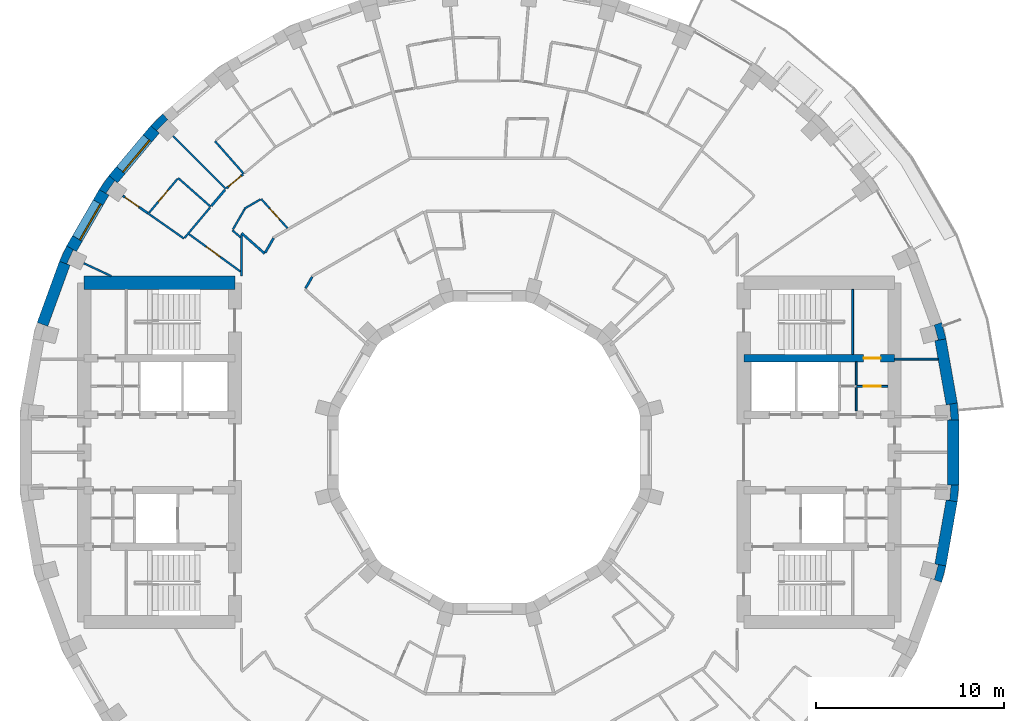
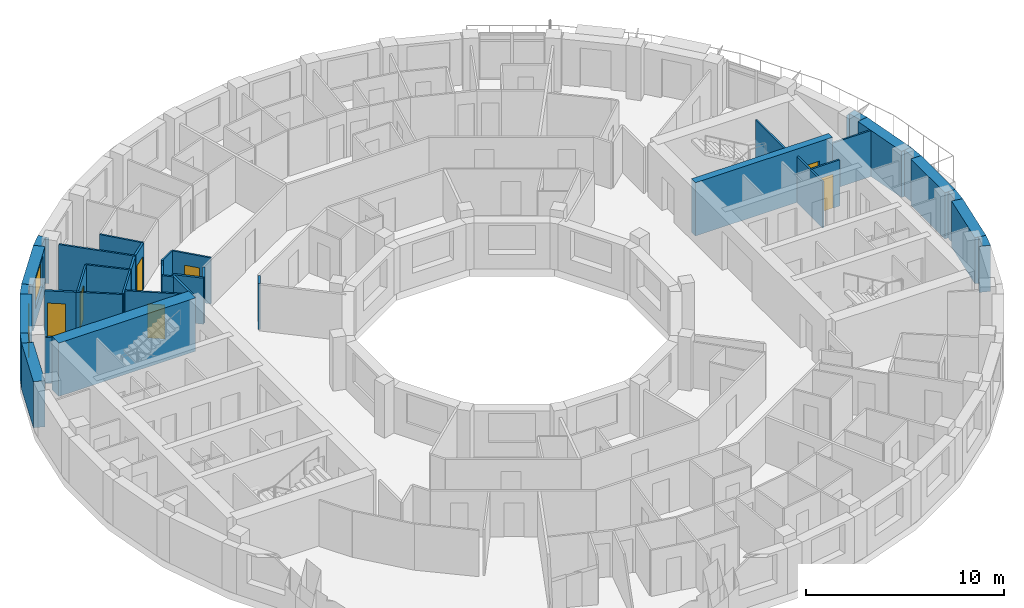
# One storey, part 10 of 15: 38 walls, 7 doors, 2 windows, 9 openings.
"""IFC4 building model written with IfcOpenShell, lengths in metres."""

import ifcopenshell
import ifcopenshell.guid

model = None  # the IFC model being written
_history = None  # IfcOwnerHistory: only IFC2X3 demands one
_inside = {}  # id of a spatial element -> (the spatial element, [elements in it])
_under = {}  # id of a project, library or spatial element -> (it, [spatial elements below it])
_declared = {}  # id of a project -> (the project, [libraries it declares])
_typed = {}  # id of a type object -> (the type object, [elements of that type])
_made_of = {}  # id of a material, layer set ... -> (it, [elements and type objects made of it])


def new_model(schema):
    """Start an empty IFC model of exactly this schema.

    Asked for "IFC4X3", IfcOpenShell would pick the latest addendum, in which some entities
    have other attributes; the version numbers below select the first issue.
    IFC2X3 requires an IfcOwnerHistory on every rooted entity: one is made here for all.
    """
    global model, _history
    if schema == "IFC4X3":
        model = ifcopenshell.file(schema_version=(4, 3, 0, 0))
    else:
        model = ifcopenshell.file(schema=schema)
    _inside.clear()
    _under.clear()
    _declared.clear()
    _typed.clear()
    _made_of.clear()
    _history = None
    if model.schema == "IFC2X3":
        org = make("IfcOrganization", Name="unknown")
        user = make(
            "IfcPersonAndOrganization",
            ThePerson=make("IfcPerson", FamilyName="unknown"),
            TheOrganization=org,
        )
        app = make(
            "IfcApplication",
            ApplicationDeveloper=org,
            Version="unknown",
            ApplicationFullName="unknown",
            ApplicationIdentifier="unknown",
        )
        _history = make(
            "IfcOwnerHistory",
            OwningUser=user,
            OwningApplication=app,
            ChangeAction="ADDED",
            CreationDate=0,
        )
    return model


def make(cls, **values):
    """One entity of the class cls with the attributes given. An attribute that is None is left unset."""
    return model.create_entity(
        cls, **{name: value for name, value in values.items() if value is not None}
    )


def rooted(cls, **values):
    """An entity with a GlobalId (a new one), such as an element, a storey or a relation."""
    return make(cls, GlobalId=ifcopenshell.guid.new(), OwnerHistory=_history, **values)


def si_unit(unit_type, name, prefix=None):
    """IfcSIUnit, for example si_unit("LENGTHUNIT", "METRE", prefix="MILLI")."""
    return make("IfcSIUnit", UnitType=unit_type, Prefix=prefix, Name=name)


def assignment(units):
    """IfcUnitAssignment: the units of a project."""
    return None if units is None else make("IfcUnitAssignment", Units=units)


def point(xyz):
    """IfcCartesianPoint."""
    return None if xyz is None else make("IfcCartesianPoint", Coordinates=xyz)


def direction(xyz):
    """IfcDirection."""
    return None if xyz is None else make("IfcDirection", DirectionRatios=xyz)


def frame(location, z_axis=None, x_axis=None):
    """IfcAxis2Placement3D, a coordinate frame: its origin and axes. An axis left out is left unset."""
    return make(
        "IfcAxis2Placement3D",
        Location=point(location),
        Axis=direction(z_axis),
        RefDirection=direction(x_axis),
    )


def frame_2d(location, x_axis=None):
    """IfcAxis2Placement2D, a coordinate frame in the plane: its origin and x axis."""
    return make(
        "IfcAxis2Placement2D", Location=point(location), RefDirection=direction(x_axis)
    )


def origin():
    """The frame at (0, 0, 0) with its axes left unset."""
    return frame((0.0, 0.0, 0.0))


def place(relative_to, where):
    """IfcLocalPlacement: puts the frame where relative to a parent placement (None: the world)."""
    return make(
        "IfcLocalPlacement", PlacementRelTo=relative_to, RelativePlacement=where
    )


def context(
    kind, dimensions, precision=None, world=None, true_north=None, identifier=None
):
    """IfcGeometricRepresentationContext, for example the 3D "Model" context."""
    return make(
        "IfcGeometricRepresentationContext",
        ContextIdentifier=identifier,
        ContextType=kind,
        CoordinateSpaceDimension=dimensions,
        Precision=precision,
        WorldCoordinateSystem=world,
        TrueNorth=true_north,
    )


def subcontext(parent, identifier, kind, view, scale=None):
    """IfcGeometricRepresentationSubContext, for example "Body" below "Model"."""
    return make(
        "IfcGeometricRepresentationSubContext",
        ContextIdentifier=identifier,
        ContextType=kind,
        ParentContext=parent,
        TargetScale=scale,
        TargetView=view,
    )


def project(units=None, contexts=None):
    """IfcProject with its units and contexts."""
    return rooted(
        "IfcProject",
        Name="project",
        RepresentationContexts=contexts,
        UnitsInContext=assignment(units),
    )


def spatial(cls, under=None, at=None, **own):
    """A site, building, storey or space (cls), placed at a placement, below another one or the project."""
    s = rooted(cls, ObjectPlacement=at, **own)
    if under is not None:
        _under.setdefault(under.id(), (under, []))[1].append(s)
    return s


def polyline(points):
    """IfcPolyline through the points."""
    return make("IfcPolyline", Points=[point(p) for p in points])


def profile(cls, at=None, kind="AREA", **sizes):
    """A parametric profile (cls). Its sizes go by their IFC names, for example OverallWidth=200.0."""
    return make(cls, ProfileType=kind, Position=at, **sizes)


def rectangle(**sizes):
    """IfcRectangleProfileDef."""
    return profile("IfcRectangleProfileDef", **sizes)


def outline(outer, holes=None, kind="AREA"):
    """IfcArbitraryClosedProfileDef: a profile drawn as a closed curve; with holes, ...WithVoids."""
    if holes is None:
        return make("IfcArbitraryClosedProfileDef", ProfileType=kind, OuterCurve=outer)
    return make(
        "IfcArbitraryProfileDefWithVoids",
        ProfileType=kind,
        OuterCurve=outer,
        InnerCurves=holes,
    )


def extrude(swept, where, along, depth):
    """IfcExtrudedAreaSolid: the profile swept, set in the frame where, extruded along a direction by depth."""
    return make(
        "IfcExtrudedAreaSolid",
        SweptArea=swept,
        Position=where,
        ExtrudedDirection=direction(along),
        Depth=depth,
    )


def shape(context_of_items, identifier, shape_type, items):
    """IfcShapeRepresentation: the items that make up one representation, for example the "Body"."""
    return make(
        "IfcShapeRepresentation",
        ContextOfItems=context_of_items,
        RepresentationIdentifier=identifier,
        RepresentationType=shape_type,
        Items=items,
    )


def material(Name=None, Category=None):
    """IfcMaterial."""
    return make("IfcMaterial", Name=Name, Category=Category)


def layer(
    of_material, thickness, ventilated=None, Name=None, Category=None, Priority=None
):
    """IfcMaterialLayer: one layer of a wall or slab, of a material (None: an air gap)."""
    return make(
        "IfcMaterialLayer",
        Material=of_material,
        LayerThickness=thickness,
        IsVentilated=ventilated,
        Name=Name,
        Category=Category,
        Priority=Priority,
    )


def layer_set(layers, Name=None):
    """IfcMaterialLayerSet."""
    return make("IfcMaterialLayerSet", MaterialLayers=layers, LayerSetName=Name)


def made_of(thing, what):
    """Note that an element or type object is made of a material, layer set ...; save() writes the relation."""
    if what is not None:
        _made_of.setdefault(what.id(), (what, []))[1].append(thing)
    return thing


def type_object(cls, material=None, **own):
    """A type object (cls), such as IfcWallType, which elements share."""
    return made_of(rooted(cls, **own), material)


def element(
    cls,
    number,
    at=None,
    inside=None,
    cuts=None,
    type_object=None,
    material=None,
    context=None,
    identifier="Body",
    shape_type=None,
    held_by="IfcProductDefinitionShape",
    body=None,
    shapes=None,
    **own,
):
    """One element of the class cls, such as IfcWall. Its Tag is "e" and its number.

    at: its placement. inside: the storey or other place that contains it. cuts: it is an
    opening in that element (IfcRelVoidsElement). A single representation is given by context,
    identifier, shape_type and body (its items); several are given by shapes. held_by: the class
    of the entity that holds the representations. save() writes the other relations.
    """
    e = rooted(cls, Tag="e%d" % number, ObjectPlacement=at, **own)
    if body is not None:
        shapes = [shape(context, identifier, shape_type, body)]
    if shapes is not None:
        e.Representation = make(held_by, Representations=shapes)
    if inside is not None:
        _inside.setdefault(inside.id(), (inside, []))[1].append(e)
    if cuts is not None:
        rooted(
            "IfcRelVoidsElement", RelatingBuildingElement=cuts, RelatedOpeningElement=e
        )
    if type_object is not None:
        _typed.setdefault(type_object.id(), (type_object, []))[1].append(e)
    return made_of(e, material)


def fill(opening, filler):
    """IfcRelFillsElement: the door or window that sits in an opening."""
    return rooted(
        "IfcRelFillsElement",
        RelatingOpeningElement=opening,
        RelatedBuildingElement=filler,
    )


def aggregate(whole, parts):
    """IfcRelAggregates: a whole, such as a stair, and the parts it consists of."""
    return rooted("IfcRelAggregates", RelatingObject=whole, RelatedObjects=parts)


def save(model, path):
    """Write the relations noted so far, then the file.

    IfcRelAggregates (storeys below a building ...), IfcRelContainedInSpatialStructure (elements
    in a storey), IfcRelDefinesByType, IfcRelAssociatesMaterial and IfcRelDeclares: one each for
    every whole, place, type object, material and project.
    """
    for whole, parts in _under.values():
        aggregate(whole, parts)
    for where, things in _inside.values():
        rooted(
            "IfcRelContainedInSpatialStructure",
            RelatedElements=things,
            RelatingStructure=where,
        )
    for kind, things in _typed.values():
        rooted("IfcRelDefinesByType", RelatedObjects=things, RelatingType=kind)
    for what, things in _made_of.values():
        rooted("IfcRelAssociatesMaterial", RelatedObjects=things, RelatingMaterial=what)
    for by, libraries in _declared.values():
        rooted("IfcRelDeclares", RelatingContext=by, RelatedDefinitions=libraries)
    model.write(path)


model = new_model("IFC4")

# Units and contexts
model_context = context("Model", 3, precision=1e-05, world=origin(), true_north=direction((0.0, 1.0)))
body_context = subcontext(model_context, "Body", "Model", "MODEL_VIEW")
ifc_project = project(units=[si_unit("LENGTHUNIT", "METRE"), si_unit("AREAUNIT", "SQUARE_METRE"), si_unit("VOLUMEUNIT", "CUBIC_METRE"), si_unit("PLANEANGLEUNIT", "RADIAN"), si_unit("MASSUNIT", "GRAM", prefix="KILO")], contexts=[model_context])

# Site, building, storey
site_placement = place(None, origin())
site = spatial("IfcSite", under=ifc_project, at=site_placement, CompositionType="ELEMENT")
building_placement = place(site_placement, origin())
building = spatial("IfcBuilding", under=site, at=building_placement, Name="Saqina Gate Tower", CompositionType="ELEMENT")
storey_placement = place(building_placement, frame((0.0, 0.0, 193.800048828125)))
storey = spatial("IfcBuildingStorey", under=building, at=storey_placement, Name="L55", CompositionType="ELEMENT", Elevation=193.800048828125)

# Walls
ifc_material_1 = material(Name="Brick masonry (buff)", Category="masonry")
wall_type_1 = type_object("IfcWallType", Name="BRICK PIER COPING BUFF", PredefinedType="SOLIDWALL", material=ifc_material_1)
wall_1_placement = place(storey_placement, origin())
element("IfcWall", 1, at=wall_1_placement, inside=storey, type_object=wall_type_1, Name="Pier cap L55 column 1", PredefinedType="SOLIDWALL", context=body_context, shape_type="SweptSolid", body=[
    extrude(outline(polyline([(24.90478515625, 1.724853515625), (24.825927734375, 2.6259765625), (24.235107421875, 2.521728515625), (24.421630859375, 2.5380859375), (24.491455078125, 1.7412109375), (24.304931640625, 1.724853515625), (24.90478515625, 1.724853515625)])), origin(), (0.0, 0.0, 1.0), 2.849853515625),
])
wall_2_placement = place(storey_placement, origin())
element("IfcWall", 2, at=wall_2_placement, inside=storey, type_object=wall_type_1, Name="Pier cap L55 column 2", PredefinedType="SOLIDWALL", context=body_context, shape_type="SweptSolid", body=[
    extrude(outline(polyline([(24.22705078125, 6.0234375), (23.992919921875, 6.897216796875), (23.428955078125, 6.69189453125), (23.610107421875, 6.740478515625), (23.81689453125, 5.967529296875), (23.635986328125, 5.919189453125), (24.22705078125, 6.0234375)])), origin(), (0.0, 0.0, 1.0), 2.849853515625),
])
wall_3_placement = place(storey_placement, origin())
element("IfcWall", 3, at=wall_3_placement, inside=storey, type_object=wall_type_1, Name="Pier cap L55 column 14", PredefinedType="SOLIDWALL", context=body_context, shape_type="SweptSolid", body=[
    extrude(outline(polyline([(-17.969482421875, 17.329833984375), (-17.510009765625, 16.944091796875), (-17.642333984375, 17.07666015625), (-17.07666015625, 17.642333984375), (-16.944091796875, 17.510009765625), (-17.329833984375, 17.969482421875), (-17.969482421875, 17.329833984375)])), origin(), (0.0, 0.0, 1.0), 2.849853515625),
])
wall_4_placement = place(storey_placement, origin())
element("IfcWall", 4, at=wall_4_placement, inside=storey, type_object=wall_type_1, Name="Pier cap L55 column 15", PredefinedType="SOLIDWALL", context=body_context, shape_type="SweptSolid", body=[
    extrude(outline(polyline([(-20.18701171875, 14.687255859375), (-20.705810546875, 13.9462890625), (-20.186279296875, 13.646240234375), (-20.339599609375, 13.753662109375), (-19.880859375, 14.408935546875), (-19.727294921875, 14.301513671875), (-20.18701171875, 14.687255859375)])), origin(), (0.0, 0.0, 1.0), 2.849853515625),
])
wall_5_placement = place(storey_placement, origin())
element("IfcWall", 5, at=wall_5_placement, inside=storey, type_object=wall_type_1, Name="Pier cap L55 column 16", PredefinedType="SOLIDWALL", context=body_context, shape_type="SweptSolid", body=[
    extrude(outline(polyline([(-22.81298828125, 10.138916015625), (-22.249267578125, 9.93359375), (-22.4189453125, 10.0126953125), (-22.080810546875, 10.73779296875), (-21.9111328125, 10.65869140625), (-22.4306640625, 10.958740234375), (-22.81298828125, 10.138916015625)])), origin(), (0.0, 0.0, 1.0), 2.849853515625),
])
wall_6_placement = place(storey_placement, origin())
element("IfcWall", 6, at=wall_6_placement, inside=storey, type_object=wall_type_1, Name="Pier cap L55 column 35", PredefinedType="SOLIDWALL", context=body_context, shape_type="SweptSolid", body=[
    extrude(outline(polyline([(24.22705078125, -6.0234375), (23.635986328125, -5.919189453125), (23.81689453125, -5.967529296875), (23.610107421875, -6.740478515625), (23.428955078125, -6.69189453125), (23.992919921875, -6.897216796875), (24.22705078125, -6.0234375)])), origin(), (0.0, 0.0, 1.0), 2.849853515625),
])
wall_7_placement = place(storey_placement, origin())
element("IfcWall", 7, at=wall_7_placement, inside=storey, type_object=wall_type_1, Name="Pier cap L55 column 36", PredefinedType="SOLIDWALL", context=body_context, shape_type="SweptSolid", body=[
    extrude(outline(polyline([(24.825927734375, -2.6259765625), (24.90478515625, -1.724853515625), (24.304931640625, -1.724853515625), (24.491455078125, -1.7412109375), (24.421630859375, -2.5380859375), (24.235107421875, -2.521728515625), (24.825927734375, -2.6259765625)])), origin(), (0.0, 0.0, 1.0), 2.849853515625),
])
ifc_material_2 = material(Name="Gypsum board on steel studs", Category="steel")
ifc_layer_1 = layer(ifc_material_2, 0.10009765625)
ifc_layer_set_1 = layer_set([ifc_layer_1], Name="CORE PARTITION")
wall_type_2 = type_object("IfcWallType", Name="CORE PARTITION", PredefinedType="PARTITIONING", material=ifc_layer_set_1)
wall_8_placement = place(storey_placement, frame((21.5, 4.949951171875, 0.0), z_axis=(0.0, 0.0, 1.0), x_axis=(1.0, 0.0, 0.0)))
element("IfcWall", 8, at=wall_8_placement, inside=storey, type_object=wall_type_2, Name="L55-CP-E01", PredefinedType="PARTITIONING", context=body_context, shape_type="SweptSolid", body=[
    extrude(rectangle(XDim=2.306884765625, YDim=0.10009765625, at=frame_2d((1.1533203125, 0.0))), origin(), (0.0, 0.0, 1.0), 2.849853515625),
])
wall_9_placement = place(storey_placement, frame((19.466552734375, 2.199951171875, 0.0), z_axis=(0.0, 0.0, 1.0), x_axis=(0.0, 1.0, 0.0)))
element("IfcWall", 9, at=wall_9_placement, inside=storey, type_object=wall_type_2, Name="L55-CP-E08", PredefinedType="PARTITIONING", context=body_context, shape_type="SweptSolid", body=[
    extrude(rectangle(XDim=2.60009765625, YDim=0.10009765625, at=frame_2d((1.300048828125, 0.0))), origin(), (0.0, 0.0, 1.0), 2.849853515625),
])

# Wall, opening, door
wall_10_placement = place(storey_placement, frame((19.466552734375, 3.5, 0.0), z_axis=(0.0, 0.0, 1.0), x_axis=(1.0, 0.0, 0.0)))
wall_10 = element("IfcWall", 10, at=wall_10_placement, inside=storey, type_object=wall_type_2, Name="L55-CP-E13", PredefinedType="PARTITIONING", context=body_context, shape_type="SweptSolid", body=[
    extrude(rectangle(XDim=1.683349609375, YDim=0.10009765625, at=frame_2d((0.841796875, 0.0))), origin(), (0.0, 0.0, 1.0), 2.849853515625),
])
opening_1_placement = place(wall_10_placement, frame((0.391845703125, 0.0, 0.0)))
opening_1 = element("IfcOpeningElement", 11, at=opening_1_placement, cuts=wall_10, Name="Opening G16-D100", PredefinedType="OPENING", context=body_context, shape_type="SweptSolid", body=[
    extrude(rectangle(XDim=0.89990234375, YDim=2.10009765625, at=frame_2d((0.449951171875, 1.050048828125))), frame((0.0, 0.06201171875, 0.0), z_axis=(0.0, -1.0, 0.0), x_axis=(1.0, 0.0, 0.0)), (0.0, 0.0, 1.0), 0.1240234375),
])
ifc_material_3 = material(Name="Steel-framed fire door leaf, EI 60", Category="steel")
door_type_1 = type_object("IfcDoorType", Name="SERVICE ROOM DOOR 900", OperationType="SINGLE_SWING_LEFT", PredefinedType="DOOR", material=ifc_material_3)
door_1_placement = place(opening_1_placement, origin())
door_1 = element("IfcDoor", 12, at=door_1_placement, inside=storey, type_object=door_type_1, Name="L55-CD-E11", OperationType="SINGLE_SWING_RIGHT", OverallHeight=2.10009765625, OverallWidth=0.89990234375, PredefinedType="DOOR", context=body_context, shape_type="SweptSolid", body=[
    extrude(rectangle(XDim=0.89990234375, YDim=2.10009765625, at=frame_2d((0.449951171875, 1.050048828125))), frame((0.0, 0.02490234375, 0.0), z_axis=(0.0, -1.0, 0.0), x_axis=(1.0, 0.0, 0.0)), (0.0, 0.0, 1.0), 0.050048828125),
])
fill(opening_1, door_1)

# Wall, opening, window
ifc_material_4 = material(Name="Brick masonry (buff)", Category="masonry")
ifc_layer_2 = layer(ifc_material_4, 0.60009765625)
ifc_layer_set_2 = layer_set([ifc_layer_2], Name="FW-BRICK-BUFF")
wall_type_3 = type_object("IfcWallType", Name="FW-BRICK-BUFF", PredefinedType="SOLIDWALL", material=ifc_layer_set_2)
wall_11_placement = place(storey_placement, frame((-17.73974609375, 17.136962890625, 0.0), z_axis=(0.0, 0.0, 1.0), x_axis=(-0.642770398358, -0.766058884809, 0.0)))
wall_11 = element("IfcWall", 13, at=wall_11_placement, inside=storey, type_object=wall_type_3, Name="Facade wall L55 facet 14", PredefinedType="SOLIDWALL", context=body_context, shape_type="SweptSolid", body=[
    extrude(rectangle(XDim=3.449462890625, YDim=0.60009765625, at=frame_2d((1.724609375, 0.0))), origin(), (0.0, 0.0, 1.0), 2.849853515625),
])
opening_2_placement = place(wall_11_placement, frame((0.625, 0.0, 0.89990234375)))
opening_2 = element("IfcOpeningElement", 14, at=opening_2_placement, cuts=wall_11, Name="Opening G16-W08", PredefinedType="OPENING", context=body_context, shape_type="SweptSolid", body=[
    extrude(rectangle(XDim=2.199951171875, YDim=1.800048828125, at=frame_2d((1.10009765625, 0.89990234375))), frame((0.0, 0.31201171875, 0.0), z_axis=(0.0, -1.0, 0.0), x_axis=(1.0, 0.0, 0.0)), (0.0, 0.0, 1.0), 0.6240234375),
])
ifc_material_5 = material(Name="Aluminium glazing", Category="aluminium")
window_type = type_object("IfcWindowType", Name="WN-C", PartitioningType="SINGLE_PANEL", PredefinedType="WINDOW", material=ifc_material_5)
window_1_placement = place(opening_2_placement, origin())
window_1 = element("IfcWindow", 15, at=window_1_placement, inside=storey, type_object=window_type, Name="Window L55 facet 14", OverallHeight=1.800048828125, OverallWidth=2.199951171875, PartitioningType="SINGLE_PANEL", PredefinedType="WINDOW", context=body_context, shape_type="SweptSolid", body=[
    extrude(rectangle(XDim=2.199951171875, YDim=1.800048828125, at=frame_2d((1.10009765625, 0.89990234375))), frame((0.0, 0.179931640625, 0.0), z_axis=(0.0, -1.0, 0.0), x_axis=(1.0, 0.0, 0.0)), (0.0, 0.0, 1.0), 0.06005859375),
])
fill(opening_2, window_1)

wall_12_placement = place(storey_placement, frame((-20.446044921875, 13.796142578125, 0.0), z_axis=(0.0, 0.0, 1.0), x_axis=(-0.499998129301, -0.86602648383, 0.0)))
wall_12 = element("IfcWall", 16, at=wall_12_placement, inside=storey, type_object=wall_type_3, Name="Facade wall L55 facet 15", PredefinedType="SOLIDWALL", context=body_context, shape_type="SweptSolid", body=[
    extrude(rectangle(XDim=3.44970703125, YDim=0.60009765625, at=frame_2d((1.724853515625, 0.0))), origin(), (0.0, 0.0, 1.0), 2.849853515625),
])
opening_3_placement = place(wall_12_placement, frame((0.625, 0.0, 0.89990234375)))
opening_3 = element("IfcOpeningElement", 17, at=opening_3_placement, cuts=wall_12, Name="Opening G16-W09", PredefinedType="OPENING", context=body_context, shape_type="SweptSolid", body=[
    extrude(rectangle(XDim=2.199951171875, YDim=1.800048828125, at=frame_2d((1.10009765625, 0.89990234375))), frame((0.0, 0.31201171875, 0.0), z_axis=(0.0, -1.0, 0.0), x_axis=(1.0, 0.0, 0.0)), (0.0, 0.0, 1.0), 0.6240234375),
])
window_2_placement = place(opening_3_placement, origin())
window_2 = element("IfcWindow", 18, at=window_2_placement, inside=storey, type_object=window_type, Name="Window L55 facet 15", OverallHeight=1.800048828125, OverallWidth=2.199951171875, PartitioningType="SINGLE_PANEL", PredefinedType="WINDOW", context=body_context, shape_type="SweptSolid", body=[
    extrude(rectangle(XDim=2.199951171875, YDim=1.800048828125, at=frame_2d((1.10009765625, 0.89990234375))), frame((0.0, 0.179931640625, 0.0), z_axis=(0.0, -1.0, 0.0), x_axis=(1.0, 0.0, 0.0)), (0.0, 0.0, 1.0), 0.06005859375),
])
fill(opening_3, window_2)

# Walls
ifc_material_6 = material(Name="Glazed ceramic tile", Category="ceramic")
ifc_layer_3 = layer(ifc_material_6, 0.60009765625)
ifc_layer_set_3 = layer_set([ifc_layer_3], Name="FW-TILE")
wall_type_4 = type_object("IfcWallType", Name="FW-TILE", PredefinedType="SOLIDWALL", material=ifc_layer_set_3)
for number, where, z_axis, x_axis, name in (
    (19, (-22.531005859375, 10.0361328125, 0.0), (0.0, 0.0, 1.0), (-0.342032843455, -0.93968799822, 0.0), "Facade wall L55 facet 16"),
    (20, (24.60498046875, -1.724853515625, 0.0), (0.0, 0.0, 1.0), (0.0, 1.0, 0.0), "Facade wall L55 facet 36"),
):
    element("IfcWall", number, at=place(storey_placement, frame(where, z_axis=z_axis, x_axis=x_axis)), inside=storey, type_object=wall_type_4, Name=name, PredefinedType="SOLIDWALL", context=body_context, shape_type="SweptSolid", body=[
        extrude(rectangle(XDim=3.44970703125, YDim=0.60009765625, at=frame_2d((1.724853515625, 0.0))), origin(), (0.0, 0.0, 1.0), 2.849853515625),
    ])
ifc_material_7 = material(Name="Glazed ceramic tile (dark blue)", Category="ceramic")
ifc_layer_4 = layer(ifc_material_7, 0.60009765625)
ifc_layer_set_4 = layer_set([ifc_layer_4], Name="FW-TILE-CB")
wall_type_5 = type_object("IfcWallType", Name="FW-TILE-CB", PredefinedType="SOLIDWALL", material=ifc_layer_set_4)
wall_13_placement = place(storey_placement, frame((23.931640625, -5.97119140625, 0.0), z_axis=(0.0, 0.0, 1.0), x_axis=(0.173607684551, 0.984814892183, 0.0)))
element("IfcWall", 21, at=wall_13_placement, inside=storey, type_object=wall_type_5, Name="Facade wall L55 facet 35", PredefinedType="SOLIDWALL", context=body_context, shape_type="SweptSolid", body=[
    extrude(rectangle(XDim=3.44970703125, YDim=0.60009765625, at=frame_2d((1.724853515625, 0.0))), origin(), (0.0, 0.0, 1.0), 2.849853515625),
])
ifc_material_8 = material(Name="Glazed ceramic tile (white)", Category="ceramic")
ifc_layer_5 = layer(ifc_material_8, 0.60009765625)
ifc_layer_set_5 = layer_set([ifc_layer_5], Name="FW-TILE-WH")
wall_type_6 = type_object("IfcWallType", Name="FW-TILE-WH", PredefinedType="SOLIDWALL", material=ifc_layer_set_5)
wall_14_placement = place(storey_placement, frame((24.530517578125, 2.573974609375, 0.0), z_axis=(0.0, 0.0, 1.0), x_axis=(-0.173607684551, 0.984814892183, 0.0)))
element("IfcWall", 22, at=wall_14_placement, inside=storey, type_object=wall_type_6, Name="Facade wall L55 facet 1", PredefinedType="SOLIDWALL", context=body_context, shape_type="SweptSolid", body=[
    extrude(rectangle(XDim=3.44970703125, YDim=0.60009765625, at=frame_2d((1.724853515625, 0.0))), origin(), (0.0, 0.0, 1.0), 2.849853515625),
])
ifc_material_9 = material(Name="Gypsum board on steel studs, 100 mm", Category="steel")
ifc_layer_6 = layer(ifc_material_9, 0.10009765625)
ifc_layer_set_6 = layer_set([ifc_layer_6], Name="PARTITION 100")
wall_type_7 = type_object("IfcWallType", Name="PARTITION 100", PredefinedType="PARTITIONING", material=ifc_layer_set_6)
wall_15_placement = place(storey_placement, frame((-14.555908203125, 16.511962890625, 0.0), z_axis=(0.0, 0.0, 1.0), x_axis=(0.661368963491, -0.750060726962, 0.0)))
element("IfcWall", 23, at=wall_15_placement, inside=storey, type_object=wall_type_7, Name="PARTITION PW3-23", PredefinedType="PARTITIONING", context=body_context, shape_type="SweptSolid", body=[
    extrude(rectangle(XDim=2.30126953125, YDim=0.10009765625, at=frame_2d((1.150634765625, 0.0))), origin(), (0.0, 0.0, 1.0), 2.849853515625),
])

# Wall, opening, door
wall_16_placement = place(storey_placement, frame((-12.10791015625, 13.447021484375, 0.0), z_axis=(0.0, 0.0, 1.0), x_axis=(0.669048883613, -0.743218400833, 0.0)))
wall_16 = element("IfcWall", 24, at=wall_16_placement, inside=storey, type_object=wall_type_7, Name="PARTITION PW3-24", PredefinedType="PARTITIONING", context=body_context, shape_type="SweptSolid", body=[
    extrude(rectangle(XDim=2.083740234375, YDim=0.10009765625, at=frame_2d((1.0419921875, 0.0))), origin(), (0.0, 0.0, 1.0), 2.849853515625),
])
opening_4_placement = place(wall_16_placement, frame((0.673095703125, 0.0, 0.0)))
opening_4 = element("IfcOpeningElement", 25, at=opening_4_placement, cuts=wall_16, Name="Opening G16-D29", PredefinedType="OPENING", context=body_context, shape_type="SweptSolid", body=[
    extrude(rectangle(XDim=0.800048828125, YDim=2.10009765625, at=frame_2d((0.39990234375, 1.050048828125))), frame((0.0, 0.06201171875, 0.0), z_axis=(0.0, -1.0, 0.0), x_axis=(1.0, 0.0, 0.0)), (0.0, 0.0, 1.0), 0.1240234375),
])
ifc_material_10 = material(Name="Timber door leaf, 800 mm", Category="wood")
door_type_2 = type_object("IfcDoorType", Name="DOOR 800 TIMBER", OperationType="SINGLE_SWING_LEFT", PredefinedType="DOOR", material=ifc_material_10)
door_2_placement = place(opening_4_placement, origin())
door_2 = element("IfcDoor", 26, at=door_2_placement, inside=storey, type_object=door_type_2, Name="DOOR G16-D29", OperationType="SINGLE_SWING_RIGHT", OverallHeight=2.10009765625, OverallWidth=0.800048828125, PredefinedType="DOOR", context=body_context, shape_type="SweptSolid", body=[
    extrude(rectangle(XDim=0.800048828125, YDim=2.10009765625, at=frame_2d((0.39990234375, 1.050048828125))), frame((0.0, 0.02490234375, 0.0), z_axis=(0.0, -1.0, 0.0), x_axis=(1.0, 0.0, 0.0)), (0.0, 0.0, 1.0), 0.050048828125),
])
fill(opening_4, door_2)

# Walls
wall_17_placement = place(storey_placement, frame((-16.78662109375, 16.78662109375, 0.0), z_axis=(0.0, 0.0, 1.0), x_axis=(0.707106781187, -0.707106781187, 0.0)))
element("IfcWall", 27, at=wall_17_placement, inside=storey, type_object=wall_type_7, Name="PARTITION PW3-27", PredefinedType="PARTITIONING", context=body_context, shape_type="SweptSolid", body=[
    extrude(rectangle(XDim=3.959228515625, YDim=0.10009765625, at=frame_2d((1.9794921875, 0.0))), origin(), (0.0, 0.0, 1.0), 2.849853515625),
])
wall_18_placement = place(storey_placement, frame((-16.511962890625, 14.555908203125, 0.0), z_axis=(0.0, 0.0, 1.0), x_axis=(0.750060726962, -0.661368963491, 0.0)))
element("IfcWall", 28, at=wall_18_placement, inside=storey, type_object=wall_type_7, Name="PARTITION PW3-29", PredefinedType="PARTITIONING", context=body_context, shape_type="SweptSolid", body=[
    extrude(rectangle(XDim=2.30126953125, YDim=0.10009765625, at=frame_2d((1.150634765625, 0.0))), origin(), (0.0, 0.0, 1.0), 2.849853515625),
])
wall_19_placement = place(storey_placement, frame((-13.635009765625, 11.783935546875, 0.0), z_axis=(0.0, 0.0, 1.0), x_axis=(0.75671861177, -0.653740730413, 0.0)))
element("IfcWall", 29, at=wall_19_placement, inside=storey, type_object=wall_type_7, Name="PARTITION PW3-31", PredefinedType="PARTITIONING", context=body_context, shape_type="SweptSolid", body=[
    extrude(rectangle(XDim=0.578369140625, YDim=0.10009765625, at=frame_2d((0.2890625, 0.0))), origin(), (0.0, 0.0, 1.0), 2.849853515625),
])

# Wall, opening, door
wall_20_placement = place(storey_placement, frame((-15.939453125, 11.58056640625, 0.0), z_axis=(0.0, 0.0, 1.0), x_axis=(0.809057281934, -0.587729797228, 0.0)))
wall_20 = element("IfcWall", 30, at=wall_20_placement, inside=storey, type_object=wall_type_7, Name="PARTITION PW3-34", PredefinedType="PARTITIONING", context=body_context, shape_type="SweptSolid", body=[
    extrude(rectangle(XDim=3.38427734375, YDim=0.10009765625, at=frame_2d((1.692138671875, 0.0))), origin(), (0.0, 0.0, 1.0), 2.849853515625),
])
opening_5_placement = place(wall_20_placement, frame((1.148193359375, 0.0, 0.0)))
opening_5 = element("IfcOpeningElement", 31, at=opening_5_placement, cuts=wall_20, Name="Opening G16-D32", PredefinedType="OPENING", context=body_context, shape_type="SweptSolid", body=[
    extrude(rectangle(XDim=0.89990234375, YDim=2.10009765625, at=frame_2d((0.449951171875, 1.050048828125))), frame((0.0, 0.06201171875, 0.0), z_axis=(0.0, -1.0, 0.0), x_axis=(1.0, 0.0, 0.0)), (0.0, 0.0, 1.0), 0.1240234375),
])
ifc_material_11 = material(Name="Timber door leaf, 900 mm", Category="wood")
door_type_3 = type_object("IfcDoorType", Name="DOOR 900 TIMBER", OperationType="SINGLE_SWING_LEFT", PredefinedType="DOOR", material=ifc_material_11)
door_3_placement = place(opening_5_placement, origin())
door_3 = element("IfcDoor", 32, at=door_3_placement, inside=storey, type_object=door_type_3, Name="DOOR G16-D32", OperationType="SINGLE_SWING_LEFT", OverallHeight=2.10009765625, OverallWidth=0.89990234375, PredefinedType="DOOR", context=body_context, shape_type="SweptSolid", body=[
    extrude(rectangle(XDim=0.89990234375, YDim=2.10009765625, at=frame_2d((0.449951171875, 1.050048828125))), frame((0.0, 0.02490234375, 0.0), z_axis=(0.0, -1.0, 0.0), x_axis=(1.0, 0.0, 0.0)), (0.0, 0.0, 1.0), 0.050048828125),
])
fill(opening_5, door_3)

# Walls
wall_21_placement = place(storey_placement, frame((-18.135009765625, 12.69873046875, 0.0), z_axis=(0.0, 0.0, 1.0), x_axis=(0.818979032307, -0.573823443789, 0.0)))
element("IfcWall", 33, at=wall_21_placement, inside=storey, type_object=wall_type_7, Name="PARTITION PW3-35", PredefinedType="PARTITIONING", context=body_context, shape_type="SweptSolid", body=[
    extrude(rectangle(XDim=2.359130859375, YDim=0.10009765625, at=frame_2d((1.1796875, 0.0))), origin(), (0.0, 0.0, 1.0), 2.849853515625),
])
wall_22_placement = place(storey_placement, frame((-21.515625, 10.033203125, 0.0), z_axis=(0.0, 0.0, 1.0), x_axis=(0.906055596822, -0.423158664648, 0.0)))
element("IfcWall", 34, at=wall_22_placement, inside=storey, type_object=wall_type_7, Name="PARTITION PW3-41", PredefinedType="PARTITIONING", context=body_context, shape_type="SweptSolid", body=[
    extrude(rectangle(XDim=1.6142578125, YDim=0.10009765625, at=frame_2d((0.80712890625, 0.0))), origin(), (0.0, 0.0, 1.0), 2.849853515625),
])
wall_23_placement = place(storey_placement, frame((-13.007080078125, 12.92822265625, 0.0), z_axis=(0.0, 0.0, 1.0), x_axis=(0.86609095339, 0.499886447563, 0.0)))
element("IfcWall", 35, at=wall_23_placement, inside=storey, type_object=wall_type_7, Name="PARTITION PW3-72", PredefinedType="PARTITIONING", context=body_context, shape_type="SweptSolid", body=[
    extrude(rectangle(XDim=0.988037109375, YDim=0.10009765625, at=frame_2d((0.494140625, 0.0))), origin(), (0.0, 0.0, 1.0), 2.849853515625),
])
wall_24_placement = place(storey_placement, frame((-16.169189453125, 11.38525390625, 0.0), z_axis=(0.0, 0.0, 1.0), x_axis=(0.642720670629, 0.766100606674, 0.0)))
element("IfcWall", 36, at=wall_24_placement, inside=storey, type_object=wall_type_7, Name="PARTITION PW3-83", PredefinedType="PARTITIONING", context=body_context, shape_type="SweptSolid", body=[
    extrude(rectangle(XDim=2.089599609375, YDim=0.10009765625, at=frame_2d((1.044921875, 0.0))), origin(), (0.0, 0.0, 1.0), 2.849853515625),
])

# Wall, opening, door
wall_25_placement = place(storey_placement, frame((-18.053955078125, 12.7177734375, 0.0), z_axis=(0.0, 0.0, 1.0), x_axis=(0.642675237257, 0.76613872074, 0.0)))
wall_25 = element("IfcWall", 37, at=wall_25_placement, inside=storey, type_object=wall_type_7, Name="PARTITION PW3-84", PredefinedType="PARTITIONING", context=body_context, shape_type="SweptSolid", body=[
    extrude(rectangle(XDim=2.34912109375, YDim=0.10009765625, at=frame_2d((1.174560546875, 0.0))), origin(), (0.0, 0.0, 1.0), 2.849853515625),
])
opening_6_placement = place(wall_25_placement, frame((0.768310546875, 0.0, 0.0)))
opening_6 = element("IfcOpeningElement", 38, at=opening_6_placement, cuts=wall_25, Name="Opening G16-D31", PredefinedType="OPENING", context=body_context, shape_type="SweptSolid", body=[
    extrude(rectangle(XDim=0.800048828125, YDim=2.10009765625, at=frame_2d((0.39990234375, 1.050048828125))), frame((0.0, 0.06201171875, 0.0), z_axis=(0.0, -1.0, 0.0), x_axis=(1.0, 0.0, 0.0)), (0.0, 0.0, 1.0), 0.1240234375),
])
door_4_placement = place(opening_6_placement, origin())
door_4 = element("IfcDoor", 39, at=door_4_placement, inside=storey, type_object=door_type_2, Name="DOOR G16-D31", OperationType="SINGLE_SWING_LEFT", OverallHeight=2.10009765625, OverallWidth=0.800048828125, PredefinedType="DOOR", context=body_context, shape_type="SweptSolid", body=[
    extrude(rectangle(XDim=0.800048828125, YDim=2.10009765625, at=frame_2d((0.39990234375, 1.050048828125))), frame((0.0, 0.02490234375, 0.0), z_axis=(0.0, -1.0, 0.0), x_axis=(1.0, 0.0, 0.0)), (0.0, 0.0, 1.0), 0.050048828125),
])
fill(opening_6, door_4)

# Walls
wall_26_placement = place(storey_placement, frame((-13.60986328125, 11.827392578125, 0.0), z_axis=(0.0, 0.0, 1.0), x_axis=(0.500407250634, 0.865790149813, 0.0)))
element("IfcWall", 40, at=wall_26_placement, inside=storey, type_object=wall_type_7, Name="PARTITION PW3-87", PredefinedType="PARTITIONING", context=body_context, shape_type="SweptSolid", body=[
    extrude(rectangle(XDim=1.2548828125, YDim=0.10009765625, at=frame_2d((0.62744140625, 0.0))), origin(), (0.0, 0.0, 1.0), 2.849853515625),
])
ifc_material_12 = material(Name="Gypsum board on steel studs, 125 mm, fire rated", Category="steel")
ifc_layer_7 = layer(ifc_material_12, 0.125)
ifc_layer_set_7 = layer_set([ifc_layer_7], Name="PARTITION EI 30 125")
wall_type_8 = type_object("IfcWallType", Name="PARTITION EI 30 125", PredefinedType="PARTITIONING", material=ifc_layer_set_7)
wall_27_placement = place(storey_placement, frame((-13.149658203125, 11.63427734375, 0.0), z_axis=(0.0, 0.0, 1.0), x_axis=(0.748945343294, -0.662631777655, 0.0)))
element("IfcWall", 41, at=wall_27_placement, inside=storey, type_object=wall_type_8, Name="PARTITION PW1-08", PredefinedType="PARTITIONING", context=body_context, shape_type="SweptSolid", body=[
    extrude(rectangle(XDim=1.6376953125, YDim=0.125, at=frame_2d((0.81884765625, 0.0))), origin(), (0.0, 0.0, 1.0), 2.849853515625),
])

# Wall, opening, door
wall_28_placement = place(storey_placement, frame((-19.446533203125, 13.616943359375, 0.0), z_axis=(0.0, 0.0, 1.0), x_axis=(0.819188933795, -0.57352374907, 0.0)))
wall_28 = element("IfcWall", 42, at=wall_28_placement, inside=storey, type_object=wall_type_8, Name="PARTITION PW1-11", PredefinedType="PARTITIONING", context=body_context, shape_type="SweptSolid", body=[
    extrude(rectangle(XDim=1.60107421875, YDim=0.125, at=frame_2d((0.800537109375, 0.0))), origin(), (0.0, 0.0, 1.0), 2.849853515625),
])
opening_7_placement = place(wall_28_placement, frame((0.146728515625, 0.0, 0.0)))
opening_7 = element("IfcOpeningElement", 43, at=opening_7_placement, cuts=wall_28, Name="Opening G16-D33", PredefinedType="OPENING", context=body_context, shape_type="SweptSolid", body=[
    extrude(rectangle(XDim=0.89990234375, YDim=2.10009765625, at=frame_2d((0.449951171875, 1.050048828125))), frame((0.0, 0.074462890625, 0.0), z_axis=(0.0, -1.0, 0.0), x_axis=(1.0, 0.0, 0.0)), (0.0, 0.0, 1.0), 0.14892578125),
])
ifc_material_13 = material(Name="Fire door leaf EI 30, 900 mm")
door_type_4 = type_object("IfcDoorType", Name="DOOR 900 EI 30", OperationType="SINGLE_SWING_LEFT", PredefinedType="DOOR", material=ifc_material_13)
door_5_placement = place(opening_7_placement, frame((0.89990234375, 0.0, 0.0), z_axis=(0.0, 0.0, 1.0), x_axis=(-1.0, 0.0, 0.0)))
door_5 = element("IfcDoor", 44, at=door_5_placement, inside=storey, type_object=door_type_4, Name="DOOR G16-D33", OperationType="SINGLE_SWING_RIGHT", OverallHeight=2.10009765625, OverallWidth=0.89990234375, PredefinedType="DOOR", context=body_context, shape_type="SweptSolid", body=[
    extrude(rectangle(XDim=0.89990234375, YDim=2.10009765625, at=frame_2d((0.449951171875, 1.050048828125))), frame((0.0, 0.02490234375, 0.0), z_axis=(0.0, -1.0, 0.0), x_axis=(1.0, 0.0, 0.0)), (0.0, 0.0, 1.0), 0.050048828125),
])
fill(opening_7, door_5)

wall_29_placement = place(storey_placement, frame((-13.94873046875, 14.01904296875, 0.0), z_axis=(0.0, 0.0, 1.0), x_axis=(0.766293239505, 0.642490989111, 0.0)))
wall_29 = element("IfcWall", 45, at=wall_29_placement, inside=storey, type_object=wall_type_8, Name="PARTITION PW1-38", PredefinedType="PARTITIONING", context=body_context, shape_type="SweptSolid", body=[
    extrude(rectangle(XDim=1.143798828125, YDim=0.125, at=frame_2d((0.57177734375, 0.0))), origin(), (0.0, 0.0, 1.0), 2.849853515625),
])
opening_8_placement = place(wall_29_placement, frame((0.121826171875, 0.0, 0.0)))
opening_8 = element("IfcOpeningElement", 46, at=opening_8_placement, cuts=wall_29, Name="Opening G16-D30", PredefinedType="OPENING", context=body_context, shape_type="SweptSolid", body=[
    extrude(rectangle(XDim=0.89990234375, YDim=2.10009765625, at=frame_2d((0.449951171875, 1.050048828125))), frame((0.0, 0.074462890625, 0.0), z_axis=(0.0, -1.0, 0.0), x_axis=(1.0, 0.0, 0.0)), (0.0, 0.0, 1.0), 0.14892578125),
])
door_6_placement = place(opening_8_placement, frame((0.89990234375, 0.0, 0.0), z_axis=(0.0, 0.0, 1.0), x_axis=(-1.0, 0.0, 0.0)))
door_6 = element("IfcDoor", 47, at=door_6_placement, inside=storey, type_object=door_type_4, Name="DOOR G16-D30", OperationType="SINGLE_SWING_RIGHT", OverallHeight=2.10009765625, OverallWidth=0.89990234375, PredefinedType="DOOR", context=body_context, shape_type="SweptSolid", body=[
    extrude(rectangle(XDim=0.89990234375, YDim=2.10009765625, at=frame_2d((0.449951171875, 1.050048828125))), frame((0.0, 0.02490234375, 0.0), z_axis=(0.0, -1.0, 0.0), x_axis=(1.0, 0.0, 0.0)), (0.0, 0.0, 1.0), 0.050048828125),
])
fill(opening_8, door_6)

# Walls
wall_30_placement = place(storey_placement, frame((-14.75390625, 13.072265625, 0.0), z_axis=(0.0, 0.0, 1.0), x_axis=(0.644208847233, 0.76484963303, 0.0)))
element("IfcWall", 48, at=wall_30_placement, inside=storey, type_object=wall_type_8, Name="PARTITION PW1-44", PredefinedType="PARTITIONING", context=body_context, shape_type="SweptSolid", body=[
    extrude(rectangle(XDim=1.13134765625, YDim=0.125, at=frame_2d((0.565673828125, 0.0))), origin(), (0.0, 0.0, 1.0), 2.849853515625),
])
wall_31_placement = place(storey_placement, frame((-9.751708984375, 8.709228515625, 0.0), z_axis=(0.0, 0.0, 1.0), x_axis=(0.500074377092, 0.865982457891, 0.0)))
element("IfcWall", 49, at=wall_31_placement, inside=storey, type_object=wall_type_8, Name="PARTITION PW1-48", PredefinedType="PARTITIONING", context=body_context, shape_type="SweptSolid", body=[
    extrude(rectangle(XDim=0.70068359375, YDim=0.125, at=frame_2d((0.350341796875, 0.0))), origin(), (0.0, 0.0, 1.0), 2.849853515625),
])
wall_32_placement = place(storey_placement, frame((-11.891845703125, 10.60302734375, 0.0), z_axis=(0.0, 0.0, 1.0), x_axis=(0.50016217861, 0.865931749671, 0.0)))
element("IfcWall", 50, at=wall_32_placement, inside=storey, type_object=wall_type_8, Name="PARTITION PW1-49", PredefinedType="PARTITIONING", context=body_context, shape_type="SweptSolid", body=[
    extrude(rectangle(XDim=0.881103515625, YDim=0.125, at=frame_2d((0.4404296875, 0.0))), origin(), (0.0, 0.0, 1.0), 2.849853515625),
])
wall_33_placement = place(storey_placement, frame((-13.14990234375, 9.35107421875, 0.0), z_axis=(0.0, 0.0, 1.0), x_axis=(0.0, 1.0, 0.0)))
element("IfcWall", 51, at=wall_33_placement, inside=storey, type_object=wall_type_8, Name="PARTITION PW1-53", PredefinedType="PARTITIONING", context=body_context, shape_type="SweptSolid", body=[
    extrude(rectangle(XDim=2.220458984375, YDim=0.125, at=frame_2d((1.1103515625, 0.0))), origin(), (0.0, 0.0, 1.0), 2.849853515625),
])
ifc_material_14 = material(Name="Autoclaved aerated concrete block", Category="concrete")
ifc_layer_8 = layer(ifc_material_14, 0.10009765625)
ifc_layer_set_8 = layer_set([ifc_layer_8], Name="STAIR ENCLOSURE WALL")
wall_type_9 = type_object("IfcWallType", Name="STAIR ENCLOSURE WALL", PredefinedType="PARTITIONING", material=ifc_layer_set_8)
wall_34_placement = place(storey_placement, frame((19.27001953125, 5.199951171875, 0.0), z_axis=(0.0, 0.0, 1.0), x_axis=(0.0, 1.0, 0.0)))
element("IfcWall", 52, at=wall_34_placement, inside=storey, type_object=wall_type_9, Name="L55-CP-E16", PredefinedType="PARTITIONING", context=body_context, shape_type="SweptSolid", body=[
    extrude(rectangle(XDim=3.449951171875, YDim=0.10009765625, at=frame_2d((1.72509765625, 0.0))), origin(), (0.0, 0.0, 1.0), 2.849853515625),
])

# Wall, opening, door
ifc_material_15 = material(Name="Concrete C60/75", Category="concrete")
ifc_layer_9 = layer(ifc_material_15, 0.39990234375)
ifc_layer_set_9 = layer_set([ifc_layer_9], Name="Concrete C60/75")
wall_type_10 = type_object("IfcWallType", Name="STR-CORE WALL-C-I", PredefinedType="SHEAR", material=ifc_layer_set_9)
wall_35_placement = place(storey_placement, frame((13.5, 5.0, 0.0), z_axis=(0.0, 0.0, 1.0), x_axis=(1.0, 0.0, 0.0)))
wall_35 = element("IfcWall", 53, at=wall_35_placement, inside=storey, type_object=wall_type_10, Name="CORE WALL L55 E-X1", PredefinedType="SHEAR", context=body_context, shape_type="SweptSolid", body=[
    extrude(rectangle(XDim=8.0, YDim=0.39990234375, at=frame_2d((4.0, 0.0))), origin(), (0.0, 0.0, 1.0), 3.300048828125),
])
opening_9_placement = place(wall_35_placement, frame((6.358154296875, 0.0, 0.0)))
opening_9 = element("IfcOpeningElement", 54, at=opening_9_placement, cuts=wall_35, Name="Opening G16-D101", PredefinedType="OPENING", context=body_context, shape_type="SweptSolid", body=[
    extrude(rectangle(XDim=0.89990234375, YDim=2.10009765625, at=frame_2d((0.449951171875, 1.050048828125))), frame((0.0, 0.2119140625, 0.0), z_axis=(0.0, -1.0, 0.0), x_axis=(1.0, 0.0, 0.0)), (0.0, 0.0, 1.0), 0.423828125),
])
door_7_placement = place(opening_9_placement, origin())
door_7 = element("IfcDoor", 55, at=door_7_placement, inside=storey, type_object=door_type_1, Name="L55-CD-E12", OperationType="SINGLE_SWING_RIGHT", OverallHeight=2.10009765625, OverallWidth=0.89990234375, PredefinedType="DOOR", context=body_context, shape_type="SweptSolid", body=[
    extrude(rectangle(XDim=0.89990234375, YDim=2.10009765625, at=frame_2d((0.449951171875, 1.050048828125))), frame((0.0, 0.02490234375, 0.0), z_axis=(0.0, -1.0, 0.0), x_axis=(1.0, 0.0, 0.0)), (0.0, 0.0, 1.0), 0.050048828125),
])
fill(opening_9, door_7)

# Wall
ifc_material_16 = material(Name="Concrete C60/75", Category="concrete")
ifc_layer_10 = layer(ifc_material_16, 0.699951171875)
ifc_layer_set_10 = layer_set([ifc_layer_10], Name="Concrete C60/75")
wall_type_11 = type_object("IfcWallType", Name="STR-CORE WALL-C-O", PredefinedType="SHEAR", material=ifc_layer_set_10)
wall_36_placement = place(storey_placement, frame((-13.5, 9.0, 0.0), z_axis=(0.0, 0.0, 1.0), x_axis=(-1.0, 0.0, 0.0)))
element("IfcWall", 56, at=wall_36_placement, inside=storey, type_object=wall_type_11, Name="CORE WALL L55 W-NE", PredefinedType="SHEAR", context=body_context, shape_type="SweptSolid", body=[
    extrude(rectangle(XDim=8.0, YDim=0.699951171875, at=frame_2d((4.0, 0.0))), origin(), (0.0, 0.0, 1.0), 3.300048828125),
])

save(model, "model.ifc")
